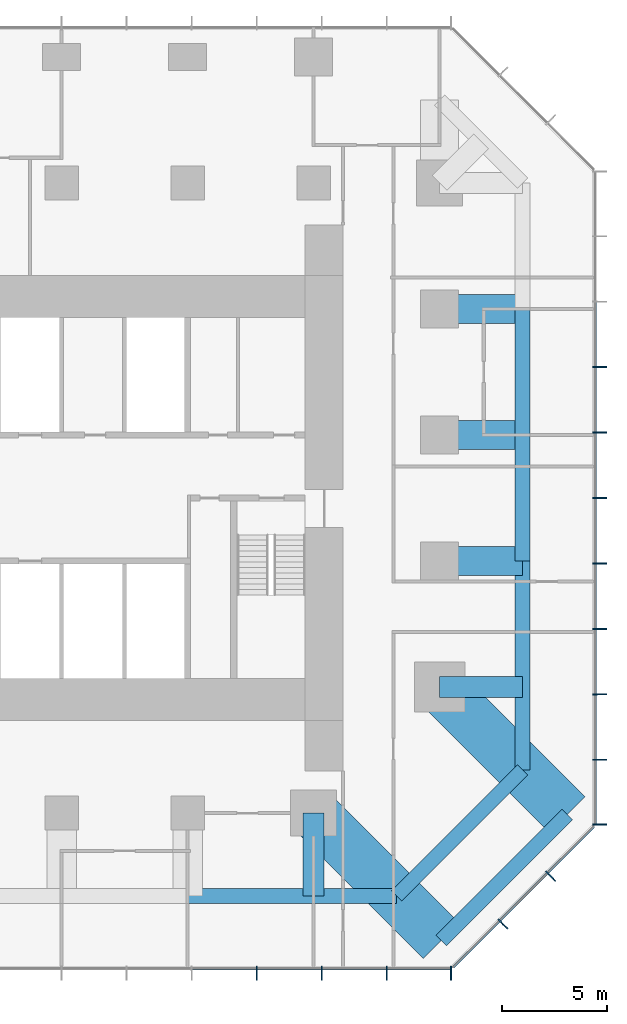
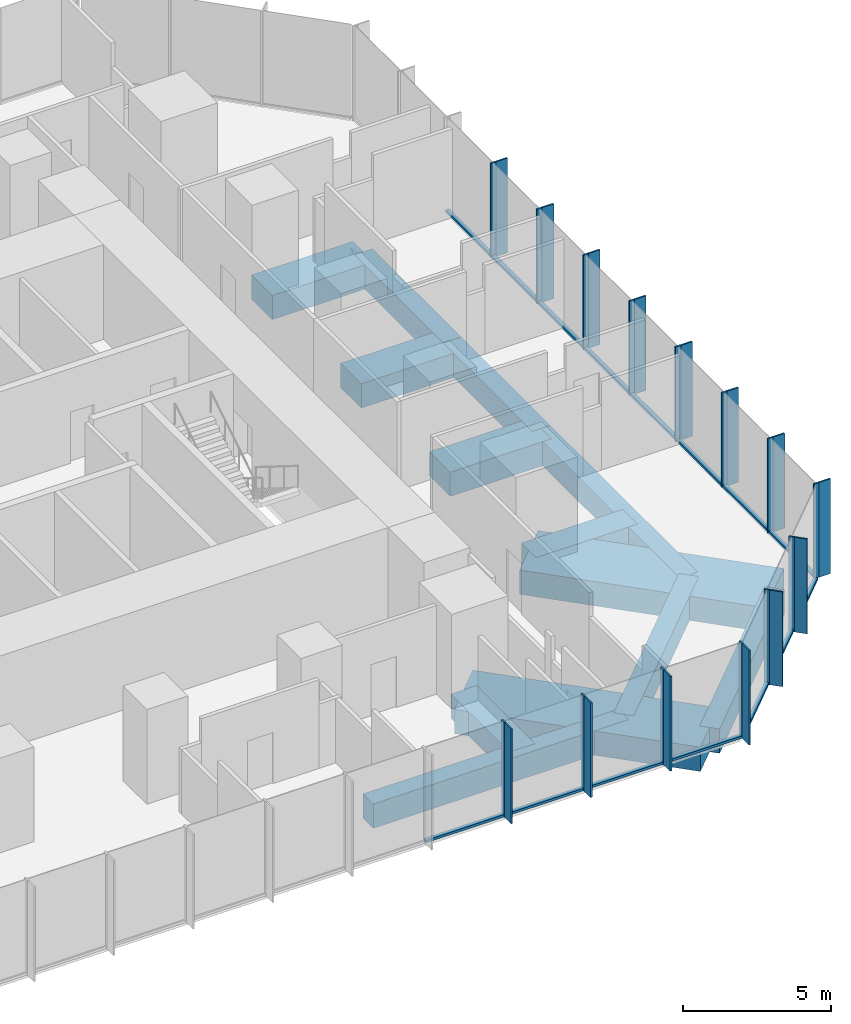
# One storey, part 4 of 11: 43 members, 13 beams, 3 elements without a shape of their own.
"""IFC4 building model written with IfcOpenShell, lengths in metres."""

from ifc_helpers import new_model, si_unit, direction, frame, origin, origin_2d, place, context, subcontext, project, spatial, rectangle, extrude, material, layer, layer_set, material_profile, profile_set, type_object, element, aggregate, save


model = new_model("IFC4")

# Units and contexts
model_context = context("Model", 3, precision=1e-05, world=origin(), true_north=direction((0.0, 1.0)))
body_context = subcontext(model_context, "Body", "Model", "MODEL_VIEW")
ifc_project = project(units=[si_unit("LENGTHUNIT", "METRE"), si_unit("AREAUNIT", "SQUARE_METRE"), si_unit("VOLUMEUNIT", "CUBIC_METRE"), si_unit("PLANEANGLEUNIT", "RADIAN"), si_unit("MASSUNIT", "GRAM", prefix="KILO")], contexts=[model_context])

# Site, building, storey
site_placement = place(None, origin())
site = spatial("IfcSite", under=ifc_project, at=site_placement, CompositionType="ELEMENT")
building_placement = place(site_placement, origin())
building = spatial("IfcBuilding", under=site, at=building_placement, Name="Highveld Stack Headquarters", CompositionType="ELEMENT")
storey_placement = place(building_placement, frame((0.0, 0.0, 144.5)))
storey = spatial("IfcBuildingStorey", under=building, at=storey_placement, Name="L35", CompositionType="ELEMENT", Elevation=144.5)

# Beams
ifc_material_1 = material(Name="Concrete C60/75", Category="concrete")
ifc_material_profile_1 = material_profile(ifc_material_1, rectangle(XDim=1.0, YDim=1.0, at=origin_2d()), Name="RC 1000x1000")
ifc_profile_set_1 = profile_set([ifc_material_profile_1], Name="Concrete C60/75")
beam_type_1 = type_object("IfcBeamType", Name="CANTILEVER RIB RC 1000x1000", PredefinedType="USERDEFINED", material=ifc_profile_set_1)
for number, where, z_axis, x_axis, name in (
    (1, (18.0, -12.0, -0.75), (0.0, -1.0, 0.0), (1.0, 0.0, 0.0), "Cantilever rib 9/C L35"),
    (2, (24.0, -6.0, -0.75), (1.0, 0.0, 0.0), (0.0, 1.0, 0.0), "Cantilever rib 10/D L35"),
):
    element("IfcBeam", number, at=place(storey_placement, frame(where, z_axis=z_axis, x_axis=x_axis)), inside=storey, type_object=beam_type_1, Name=name, ObjectType="CANTILEVER RIB", PredefinedType="USERDEFINED", context=body_context, shape_type="SweptSolid", body=[
        extrude(rectangle(XDim=1.0, YDim=1.0, at=origin_2d()), origin(), (0.0, 0.0, 1.0), 3.949951171875),
    ])
ifc_material_2 = material(Name="Concrete C60/75", Category="concrete")
ifc_material_profile_2 = material_profile(ifc_material_2, rectangle(XDim=1.39990234375, YDim=1.0, at=origin_2d()), Name="RC 1400x1000")
ifc_profile_set_2 = profile_set([ifc_material_profile_2], Name="Concrete C60/75")
beam_type_2 = type_object("IfcBeamType", Name="CANTILEVER RIB RC 1400x1000", PredefinedType="USERDEFINED", material=ifc_profile_set_2)
for number, where, z_axis, x_axis, name in (
    (3, (24.0, 0.0, -0.75), (1.0, 0.0, 0.0), (0.0, 1.0, 0.0), "Cantilever rib 10/E L35"),
    (4, (24.0, 6.0, -0.75), (1.0, 0.0, 0.0), (0.0, 1.0, 0.0), "Cantilever rib 10/F L35"),
    (5, (24.0, 12.0, -0.75), (1.0, 0.0, 0.0), (0.0, 1.0, 0.0), "Cantilever rib 10/G L35"),
):
    element("IfcBeam", number, at=place(storey_placement, frame(where, z_axis=z_axis, x_axis=x_axis)), inside=storey, type_object=beam_type_2, Name=name, ObjectType="CANTILEVER RIB", PredefinedType="USERDEFINED", context=body_context, shape_type="SweptSolid", body=[
        extrude(rectangle(XDim=1.39990234375, YDim=1.0, at=origin_2d()), origin(), (0.0, 0.0, 1.0), 3.949951171875),
    ])
ifc_material_3 = material(Name="Concrete C60/75", Category="concrete")
ifc_material_profile_3 = material_profile(ifc_material_3, rectangle(XDim=2.39990234375, YDim=1.0, at=origin_2d()), Name="RC 2400x1000")
ifc_profile_set_3 = profile_set([ifc_material_profile_3], Name="Concrete C60/75")
beam_type_3 = type_object("IfcBeamType", Name="CANTILEVER RIB RC 2400x1000", PredefinedType="USERDEFINED", material=ifc_profile_set_3)
for number, where, z_axis, x_axis, name in (
    (6, (18.0, -12.0, -0.75), (0.707106781187, -0.707106781187, 0.0), (0.707106781187, 0.707106781187, 0.0), "Cantilever rib 9/C L35"),
    (7, (24.0, -6.0, -0.75), (0.707106781187, -0.707106781187, 0.0), (0.707106781187, 0.707106781187, 0.0), "Cantilever rib 10/D L35"),
):
    element("IfcBeam", number, at=place(storey_placement, frame(where, z_axis=z_axis, x_axis=x_axis)), inside=storey, type_object=beam_type_3, Name=name, ObjectType="CANTILEVER RIB", PredefinedType="USERDEFINED", context=body_context, shape_type="SweptSolid", body=[
        extrude(rectangle(XDim=2.39990234375, YDim=1.0, at=origin_2d()), origin(), (0.0, 0.0, 1.0), 8.585693359375),
    ])

# Curtain wall, members
ifc_material_4 = material(Name="Aluminium bronze anodised", Category="aluminium")
ifc_layer_1 = layer(ifc_material_4, 0.199951171875)
ifc_layer_set_1 = layer_set([ifc_layer_1], Name="Aluminium bronze anodised")
curtain_wall_type_1 = type_object("IfcCurtainWallType", Name="CW1 TOWER UNITISED CURTAIN WALL", PredefinedType="NOTDEFINED", material=ifc_layer_set_1)
curtain_wall_1_placement = place(storey_placement, origin())
curtain_wall_1 = element("IfcCurtainWall", 8, at=curtain_wall_1_placement, inside=storey, type_object=curtain_wall_type_1, Name="Curtain wall CW1 L35 S", PredefinedType="NOTDEFINED")
ifc_material_5 = material(Name="Aluminium bronze anodised", Category="aluminium")
ifc_material_profile_4 = material_profile(ifc_material_5, rectangle(XDim=0.449951171875, YDim=0.06005859375, at=origin_2d()), Name="FIN 450x60")
ifc_profile_set_4 = profile_set([ifc_material_profile_4], Name="Aluminium bronze anodised")
member_type_1 = type_object("IfcMemberType", Name="CW1 BRONZE FIN 450x60", PredefinedType="USERDEFINED", material=ifc_profile_set_4)
member_1_placement = place(storey_placement, frame((15.289794921875, -19.72509765625, 0.0), z_axis=(0.0, 0.0, 1.0), x_axis=(0.0, 1.0, 0.0)))
member_1 = element("IfcMember", 9, at=member_1_placement, type_object=member_type_1, Name="CW1 fin L35 10", ObjectType="FIN", PredefinedType="USERDEFINED", context=body_context, shape_type="SweptSolid", body=[
    extrude(rectangle(XDim=0.449951171875, YDim=0.06005859375, at=origin_2d()), origin(), (0.0, 0.0, 1.0), 3.89990234375),
])
member_2_placement = place(storey_placement, frame((18.38671875, -19.72509765625, 0.0), z_axis=(0.0, 0.0, 1.0), x_axis=(0.0, 1.0, 0.0)))
member_2 = element("IfcMember", 10, at=member_2_placement, type_object=member_type_1, Name="CW1 fin L35 11", ObjectType="FIN", PredefinedType="USERDEFINED", context=body_context, shape_type="SweptSolid", body=[
    extrude(rectangle(XDim=0.449951171875, YDim=0.06005859375, at=origin_2d()), origin(), (0.0, 0.0, 1.0), 3.89990234375),
])
member_3_placement = place(storey_placement, frame((21.483154296875, -19.72509765625, 0.0), z_axis=(0.0, 0.0, 1.0), x_axis=(0.0, 1.0, 0.0)))
member_3 = element("IfcMember", 11, at=member_3_placement, type_object=member_type_1, Name="CW1 fin L35 12", ObjectType="FIN", PredefinedType="USERDEFINED", context=body_context, shape_type="SweptSolid", body=[
    extrude(rectangle(XDim=0.449951171875, YDim=0.06005859375, at=origin_2d()), origin(), (0.0, 0.0, 1.0), 3.89990234375),
])
member_4_placement = place(storey_placement, frame((24.54736328125, -19.72509765625, 0.0), z_axis=(0.0, 0.0, 1.0), x_axis=(0.0, 1.0, 0.0)))
member_4 = element("IfcMember", 12, at=member_4_placement, type_object=member_type_1, Name="CW1 fin L35 13", ObjectType="FIN", PredefinedType="USERDEFINED", context=body_context, shape_type="SweptSolid", body=[
    extrude(rectangle(XDim=0.449951171875, YDim=0.06005859375, at=origin_2d()), origin(), (0.0, 0.0, 1.0), 3.89990234375),
])

curtain_wall_2_placement = place(storey_placement, origin())
curtain_wall_2 = element("IfcCurtainWall", 13, at=curtain_wall_2_placement, inside=storey, type_object=curtain_wall_type_1, Name="Curtain wall CW1 L35 E", PredefinedType="NOTDEFINED")
member_5_placement = place(storey_placement, frame((31.72509765625, -12.54736328125, 0.0), z_axis=(0.0, 0.0, 1.0), x_axis=(-1.0, 0.0, 0.0)))
member_5 = element("IfcMember", 14, at=member_5_placement, type_object=member_type_1, Name="CW1 fin L35 1", ObjectType="FIN", PredefinedType="USERDEFINED", context=body_context, shape_type="SweptSolid", body=[
    extrude(rectangle(XDim=0.449951171875, YDim=0.06005859375, at=origin_2d()), origin(), (0.0, 0.0, 1.0), 3.89990234375),
])
member_6_placement = place(storey_placement, frame((31.72509765625, -9.4638671875, 0.0), z_axis=(0.0, 0.0, 1.0), x_axis=(-1.0, 0.0, 0.0)))
member_6 = element("IfcMember", 15, at=member_6_placement, type_object=member_type_1, Name="CW1 fin L35 2", ObjectType="FIN", PredefinedType="USERDEFINED", context=body_context, shape_type="SweptSolid", body=[
    extrude(rectangle(XDim=0.449951171875, YDim=0.06005859375, at=origin_2d()), origin(), (0.0, 0.0, 1.0), 3.89990234375),
])
member_7_placement = place(storey_placement, frame((31.72509765625, -6.347900390625, 0.0), z_axis=(0.0, 0.0, 1.0), x_axis=(-1.0, 0.0, 0.0)))
member_7 = element("IfcMember", 16, at=member_7_placement, type_object=member_type_1, Name="CW1 fin L35 3", ObjectType="FIN", PredefinedType="USERDEFINED", context=body_context, shape_type="SweptSolid", body=[
    extrude(rectangle(XDim=0.449951171875, YDim=0.06005859375, at=origin_2d()), origin(), (0.0, 0.0, 1.0), 3.89990234375),
])
member_8_placement = place(storey_placement, frame((31.72509765625, -3.23193359375, 0.0), z_axis=(0.0, 0.0, 1.0), x_axis=(-1.0, 0.0, 0.0)))
member_8 = element("IfcMember", 17, at=member_8_placement, type_object=member_type_1, Name="CW1 fin L35 4", ObjectType="FIN", PredefinedType="USERDEFINED", context=body_context, shape_type="SweptSolid", body=[
    extrude(rectangle(XDim=0.449951171875, YDim=0.06005859375, at=origin_2d()), origin(), (0.0, 0.0, 1.0), 3.89990234375),
])
member_9_placement = place(storey_placement, frame((31.72509765625, -0.115966796875, 0.0), z_axis=(0.0, 0.0, 1.0), x_axis=(-1.0, 0.0, 0.0)))
member_9 = element("IfcMember", 18, at=member_9_placement, type_object=member_type_1, Name="CW1 fin L35 5", ObjectType="FIN", PredefinedType="USERDEFINED", context=body_context, shape_type="SweptSolid", body=[
    extrude(rectangle(XDim=0.449951171875, YDim=0.06005859375, at=origin_2d()), origin(), (0.0, 0.0, 1.0), 3.89990234375),
])
member_10_placement = place(storey_placement, frame((31.72509765625, 3.0, 0.0), z_axis=(0.0, 0.0, 1.0), x_axis=(-1.0, 0.0, 0.0)))
member_10 = element("IfcMember", 19, at=member_10_placement, type_object=member_type_1, Name="CW1 fin L35 6", ObjectType="FIN", PredefinedType="USERDEFINED", context=body_context, shape_type="SweptSolid", body=[
    extrude(rectangle(XDim=0.449951171875, YDim=0.06005859375, at=origin_2d()), origin(), (0.0, 0.0, 1.0), 3.89990234375),
])
member_11_placement = place(storey_placement, frame((31.72509765625, 6.115966796875, 0.0), z_axis=(0.0, 0.0, 1.0), x_axis=(-1.0, 0.0, 0.0)))
member_11 = element("IfcMember", 20, at=member_11_placement, type_object=member_type_1, Name="CW1 fin L35 7", ObjectType="FIN", PredefinedType="USERDEFINED", context=body_context, shape_type="SweptSolid", body=[
    extrude(rectangle(XDim=0.449951171875, YDim=0.06005859375, at=origin_2d()), origin(), (0.0, 0.0, 1.0), 3.89990234375),
])
member_12_placement = place(storey_placement, frame((31.72509765625, 9.23193359375, 0.0), z_axis=(0.0, 0.0, 1.0), x_axis=(-1.0, 0.0, 0.0)))
member_12 = element("IfcMember", 21, at=member_12_placement, type_object=member_type_1, Name="CW1 fin L35 8", ObjectType="FIN", PredefinedType="USERDEFINED", context=body_context, shape_type="SweptSolid", body=[
    extrude(rectangle(XDim=0.449951171875, YDim=0.06005859375, at=origin_2d()), origin(), (0.0, 0.0, 1.0), 3.89990234375),
])

# Member
ifc_material_6 = material(Name="Aluminium bronze anodised", Category="aluminium")
ifc_material_profile_5 = material_profile(ifc_material_6, rectangle(XDim=0.199951171875, YDim=0.06494140625, at=origin_2d()), Name="CW1 MULLION 65x200")
ifc_profile_set_5 = profile_set([ifc_material_profile_5], Name="Aluminium bronze anodised")
member_type_2 = type_object("IfcMemberType", Name="CW1 MULLION 65x200", PredefinedType="MULLION", material=ifc_profile_set_5)
member_13_placement = place(storey_placement, frame((15.289794921875, -19.39990234375, 0.0), z_axis=(0.0, 0.0, 1.0), x_axis=(0.0, 1.0, 0.0)))
member_13 = element("IfcMember", 22, at=member_13_placement, type_object=member_type_2, Name="CW1 mullion L35 10", PredefinedType="MULLION", context=body_context, shape_type="SweptSolid", body=[
    extrude(rectangle(XDim=0.199951171875, YDim=0.06494140625, at=origin_2d()), origin(), (0.0, 0.0, 1.0), 3.89990234375),
])

member_14_placement = place(storey_placement, frame((18.38671875, -19.39990234375, 0.0), z_axis=(0.0, 0.0, 1.0), x_axis=(0.0, 1.0, 0.0)))
member_14 = element("IfcMember", 23, at=member_14_placement, type_object=member_type_2, Name="CW1 mullion L35 11", PredefinedType="MULLION", context=body_context, shape_type="SweptSolid", body=[
    extrude(rectangle(XDim=0.199951171875, YDim=0.06494140625, at=origin_2d()), origin(), (0.0, 0.0, 1.0), 3.89990234375),
])

member_15_placement = place(storey_placement, frame((21.483154296875, -19.39990234375, 0.0), z_axis=(0.0, 0.0, 1.0), x_axis=(0.0, 1.0, 0.0)))
member_15 = element("IfcMember", 24, at=member_15_placement, type_object=member_type_2, Name="CW1 mullion L35 12", PredefinedType="MULLION", context=body_context, shape_type="SweptSolid", body=[
    extrude(rectangle(XDim=0.199951171875, YDim=0.06494140625, at=origin_2d()), origin(), (0.0, 0.0, 1.0), 3.89990234375),
])

member_16_placement = place(storey_placement, frame((24.54736328125, -19.39990234375, 0.0), z_axis=(0.0, 0.0, 1.0), x_axis=(0.0, 1.0, 0.0)))
member_16 = element("IfcMember", 25, at=member_16_placement, type_object=member_type_2, Name="CW1 mullion L35 13", PredefinedType="MULLION", context=body_context, shape_type="SweptSolid", body=[
    extrude(rectangle(XDim=0.199951171875, YDim=0.06494140625, at=origin_2d()), origin(), (0.0, 0.0, 1.0), 3.89990234375),
])

member_17_placement = place(storey_placement, frame((31.39990234375, -12.54736328125, 0.0), z_axis=(0.0, 0.0, 1.0), x_axis=(-1.0, 0.0, 0.0)))
member_17 = element("IfcMember", 26, at=member_17_placement, type_object=member_type_2, Name="CW1 mullion L35 1", PredefinedType="MULLION", context=body_context, shape_type="SweptSolid", body=[
    extrude(rectangle(XDim=0.199951171875, YDim=0.06494140625, at=origin_2d()), origin(), (0.0, 0.0, 1.0), 3.89990234375),
])

member_18_placement = place(storey_placement, frame((31.39990234375, -9.4638671875, 0.0), z_axis=(0.0, 0.0, 1.0), x_axis=(-1.0, 0.0, 0.0)))
member_18 = element("IfcMember", 27, at=member_18_placement, type_object=member_type_2, Name="CW1 mullion L35 2", PredefinedType="MULLION", context=body_context, shape_type="SweptSolid", body=[
    extrude(rectangle(XDim=0.199951171875, YDim=0.06494140625, at=origin_2d()), origin(), (0.0, 0.0, 1.0), 3.89990234375),
])

member_19_placement = place(storey_placement, frame((31.39990234375, -6.347900390625, 0.0), z_axis=(0.0, 0.0, 1.0), x_axis=(-1.0, 0.0, 0.0)))
member_19 = element("IfcMember", 28, at=member_19_placement, type_object=member_type_2, Name="CW1 mullion L35 3", PredefinedType="MULLION", context=body_context, shape_type="SweptSolid", body=[
    extrude(rectangle(XDim=0.199951171875, YDim=0.06494140625, at=origin_2d()), origin(), (0.0, 0.0, 1.0), 3.89990234375),
])

member_20_placement = place(storey_placement, frame((31.39990234375, -3.23193359375, 0.0), z_axis=(0.0, 0.0, 1.0), x_axis=(-1.0, 0.0, 0.0)))
member_20 = element("IfcMember", 29, at=member_20_placement, type_object=member_type_2, Name="CW1 mullion L35 4", PredefinedType="MULLION", context=body_context, shape_type="SweptSolid", body=[
    extrude(rectangle(XDim=0.199951171875, YDim=0.06494140625, at=origin_2d()), origin(), (0.0, 0.0, 1.0), 3.89990234375),
])

member_21_placement = place(storey_placement, frame((31.39990234375, -0.115966796875, 0.0), z_axis=(0.0, 0.0, 1.0), x_axis=(-1.0, 0.0, 0.0)))
member_21 = element("IfcMember", 30, at=member_21_placement, type_object=member_type_2, Name="CW1 mullion L35 5", PredefinedType="MULLION", context=body_context, shape_type="SweptSolid", body=[
    extrude(rectangle(XDim=0.199951171875, YDim=0.06494140625, at=origin_2d()), origin(), (0.0, 0.0, 1.0), 3.89990234375),
])

member_22_placement = place(storey_placement, frame((31.39990234375, 3.0, 0.0), z_axis=(0.0, 0.0, 1.0), x_axis=(-1.0, 0.0, 0.0)))
member_22 = element("IfcMember", 31, at=member_22_placement, type_object=member_type_2, Name="CW1 mullion L35 6", PredefinedType="MULLION", context=body_context, shape_type="SweptSolid", body=[
    extrude(rectangle(XDim=0.199951171875, YDim=0.06494140625, at=origin_2d()), origin(), (0.0, 0.0, 1.0), 3.89990234375),
])

member_23_placement = place(storey_placement, frame((31.39990234375, 6.115966796875, 0.0), z_axis=(0.0, 0.0, 1.0), x_axis=(-1.0, 0.0, 0.0)))
member_23 = element("IfcMember", 32, at=member_23_placement, type_object=member_type_2, Name="CW1 mullion L35 7", PredefinedType="MULLION", context=body_context, shape_type="SweptSolid", body=[
    extrude(rectangle(XDim=0.199951171875, YDim=0.06494140625, at=origin_2d()), origin(), (0.0, 0.0, 1.0), 3.89990234375),
])

member_24_placement = place(storey_placement, frame((31.39990234375, 9.23193359375, 0.0), z_axis=(0.0, 0.0, 1.0), x_axis=(-1.0, 0.0, 0.0)))
member_24 = element("IfcMember", 33, at=member_24_placement, type_object=member_type_2, Name="CW1 mullion L35 8", PredefinedType="MULLION", context=body_context, shape_type="SweptSolid", body=[
    extrude(rectangle(XDim=0.199951171875, YDim=0.06494140625, at=origin_2d()), origin(), (0.0, 0.0, 1.0), 3.89990234375),
])

ifc_material_7 = material(Name="Aluminium bronze anodised", Category="aluminium")
ifc_material_profile_6 = material_profile(ifc_material_7, rectangle(XDim=0.14990234375, YDim=0.10009765625, at=origin_2d()), Name="CW1 TRANSOM 150x100")
ifc_profile_set_6 = profile_set([ifc_material_profile_6], Name="Aluminium bronze anodised")
member_type_3 = type_object("IfcMemberType", Name="CW1 STACK TRANSOM 150x100", PredefinedType="USERDEFINED", material=ifc_profile_set_6)
member_25_placement = place(storey_placement, frame((12.225830078125, -19.39990234375, 0.050048828125), z_axis=(1.0, 0.0, 0.0), x_axis=(0.0, 1.0, 0.0)))
member_25 = element("IfcMember", 34, at=member_25_placement, type_object=member_type_3, Name="CW1 transom L35 9.1", ObjectType="TRANSOM", PredefinedType="USERDEFINED", context=body_context, shape_type="SweptSolid", body=[
    extrude(rectangle(XDim=0.14990234375, YDim=0.10009765625, at=origin_2d()), origin(), (0.0, 0.0, 1.0), 3.03173828125),
])

member_26_placement = place(storey_placement, frame((15.322509765625, -19.39990234375, 0.050048828125), z_axis=(1.0, 0.0, 0.0), x_axis=(0.0, 1.0, 0.0)))
member_26 = element("IfcMember", 35, at=member_26_placement, type_object=member_type_3, Name="CW1 transom L35 10.1", ObjectType="TRANSOM", PredefinedType="USERDEFINED", context=body_context, shape_type="SweptSolid", body=[
    extrude(rectangle(XDim=0.14990234375, YDim=0.10009765625, at=origin_2d()), origin(), (0.0, 0.0, 1.0), 3.031494140625),
])

member_27_placement = place(storey_placement, frame((18.419189453125, -19.39990234375, 0.050048828125), z_axis=(1.0, 0.0, 0.0), x_axis=(0.0, 1.0, 0.0)))
member_27 = element("IfcMember", 36, at=member_27_placement, type_object=member_type_3, Name="CW1 transom L35 11.1", ObjectType="TRANSOM", PredefinedType="USERDEFINED", context=body_context, shape_type="SweptSolid", body=[
    extrude(rectangle(XDim=0.14990234375, YDim=0.10009765625, at=origin_2d()), origin(), (0.0, 0.0, 1.0), 3.031494140625),
])

member_28_placement = place(storey_placement, frame((21.515625, -19.39990234375, 0.050048828125), z_axis=(1.0, 0.0, 0.0), x_axis=(0.0, 1.0, 0.0)))
member_28 = element("IfcMember", 37, at=member_28_placement, type_object=member_type_3, Name="CW1 transom L35 12.1", ObjectType="TRANSOM", PredefinedType="USERDEFINED", context=body_context, shape_type="SweptSolid", body=[
    extrude(rectangle(XDim=0.14990234375, YDim=0.10009765625, at=origin_2d()), origin(), (0.0, 0.0, 1.0), 2.999267578125),
])

aggregate(curtain_wall_1, [member_13, member_1, member_14, member_2, member_15, member_3, member_16, member_4, member_25, member_26, member_27, member_28])

member_29_placement = place(storey_placement, frame((31.39990234375, -12.514892578125, 0.050048828125), z_axis=(0.0, 1.0, 0.0), x_axis=(-1.0, 0.0, 0.0)))
member_29 = element("IfcMember", 38, at=member_29_placement, type_object=member_type_3, Name="CW1 transom L35 1.1", ObjectType="TRANSOM", PredefinedType="USERDEFINED", context=body_context, shape_type="SweptSolid", body=[
    extrude(rectangle(XDim=0.14990234375, YDim=0.10009765625, at=origin_2d()), origin(), (0.0, 0.0, 1.0), 3.0185546875),
])

member_30_placement = place(storey_placement, frame((31.39990234375, -9.431396484375, 0.050048828125), z_axis=(0.0, 1.0, 0.0), x_axis=(-1.0, 0.0, 0.0)))
member_30 = element("IfcMember", 39, at=member_30_placement, type_object=member_type_3, Name="CW1 transom L35 2.1", ObjectType="TRANSOM", PredefinedType="USERDEFINED", context=body_context, shape_type="SweptSolid", body=[
    extrude(rectangle(XDim=0.14990234375, YDim=0.10009765625, at=origin_2d()), origin(), (0.0, 0.0, 1.0), 3.051025390625),
])

member_31_placement = place(storey_placement, frame((31.39990234375, -6.3154296875, 0.050048828125), z_axis=(0.0, 1.0, 0.0), x_axis=(-1.0, 0.0, 0.0)))
member_31 = element("IfcMember", 40, at=member_31_placement, type_object=member_type_3, Name="CW1 transom L35 3.1", ObjectType="TRANSOM", PredefinedType="USERDEFINED", context=body_context, shape_type="SweptSolid", body=[
    extrude(rectangle(XDim=0.14990234375, YDim=0.10009765625, at=origin_2d()), origin(), (0.0, 0.0, 1.0), 3.051025390625),
])

member_32_placement = place(storey_placement, frame((31.39990234375, -3.199462890625, 0.050048828125), z_axis=(0.0, 1.0, 0.0), x_axis=(-1.0, 0.0, 0.0)))
member_32 = element("IfcMember", 41, at=member_32_placement, type_object=member_type_3, Name="CW1 transom L35 4.1", ObjectType="TRANSOM", PredefinedType="USERDEFINED", context=body_context, shape_type="SweptSolid", body=[
    extrude(rectangle(XDim=0.14990234375, YDim=0.10009765625, at=origin_2d()), origin(), (0.0, 0.0, 1.0), 3.051025390625),
])

member_33_placement = place(storey_placement, frame((31.39990234375, -0.08349609375, 0.050048828125), z_axis=(0.0, 1.0, 0.0), x_axis=(-1.0, 0.0, 0.0)))
member_33 = element("IfcMember", 42, at=member_33_placement, type_object=member_type_3, Name="CW1 transom L35 5.1", ObjectType="TRANSOM", PredefinedType="USERDEFINED", context=body_context, shape_type="SweptSolid", body=[
    extrude(rectangle(XDim=0.14990234375, YDim=0.10009765625, at=origin_2d()), origin(), (0.0, 0.0, 1.0), 3.051025390625),
])

member_34_placement = place(storey_placement, frame((31.39990234375, 3.032470703125, 0.050048828125), z_axis=(0.0, 1.0, 0.0), x_axis=(-1.0, 0.0, 0.0)))
member_34 = element("IfcMember", 43, at=member_34_placement, type_object=member_type_3, Name="CW1 transom L35 6.1", ObjectType="TRANSOM", PredefinedType="USERDEFINED", context=body_context, shape_type="SweptSolid", body=[
    extrude(rectangle(XDim=0.14990234375, YDim=0.10009765625, at=origin_2d()), origin(), (0.0, 0.0, 1.0), 3.051025390625),
])

member_35_placement = place(storey_placement, frame((31.39990234375, 6.1484375, 0.050048828125), z_axis=(0.0, 1.0, 0.0), x_axis=(-1.0, 0.0, 0.0)))
member_35 = element("IfcMember", 44, at=member_35_placement, type_object=member_type_3, Name="CW1 transom L35 7.1", ObjectType="TRANSOM", PredefinedType="USERDEFINED", context=body_context, shape_type="SweptSolid", body=[
    extrude(rectangle(XDim=0.14990234375, YDim=0.10009765625, at=origin_2d()), origin(), (0.0, 0.0, 1.0), 3.051025390625),
])

member_36_placement = place(storey_placement, frame((31.39990234375, 9.264404296875, 0.050048828125), z_axis=(0.0, 1.0, 0.0), x_axis=(-1.0, 0.0, 0.0)))
member_36 = element("IfcMember", 45, at=member_36_placement, type_object=member_type_3, Name="CW1 transom L35 8.1", ObjectType="TRANSOM", PredefinedType="USERDEFINED", context=body_context, shape_type="SweptSolid", body=[
    extrude(rectangle(XDim=0.14990234375, YDim=0.10009765625, at=origin_2d()), origin(), (0.0, 0.0, 1.0), 3.051025390625),
])

aggregate(curtain_wall_2, [member_17, member_5, member_18, member_6, member_19, member_7, member_20, member_8, member_21, member_9, member_22, member_10, member_23, member_11, member_24, member_12, member_29, member_30, member_31, member_32, member_33, member_34, member_35, member_36])

# Curtain wall, members
ifc_material_8 = material(Name="Aluminium bronze anodised", Category="aluminium")
ifc_layer_2 = layer(ifc_material_8, 0.199951171875)
ifc_layer_set_2 = layer_set([ifc_layer_2], Name="Aluminium bronze anodised")
curtain_wall_type_2 = type_object("IfcCurtainWallType", Name="CW2 TOWER CHAMFER UNITISED CURTAIN WALL", PredefinedType="NOTDEFINED", material=ifc_layer_set_2)
curtain_wall_3_placement = place(storey_placement, origin())
curtain_wall_3 = element("IfcCurtainWall", 46, at=curtain_wall_3_placement, inside=storey, type_object=curtain_wall_type_2, Name="Curtain wall CW2 L35 SE", PredefinedType="NOTDEFINED")
ifc_material_9 = material(Name="Aluminium bronze anodised", Category="aluminium")
ifc_material_profile_7 = material_profile(ifc_material_9, rectangle(XDim=0.449951171875, YDim=0.06005859375, at=origin_2d()), Name="FIN 450x60")
ifc_profile_set_7 = profile_set([ifc_material_profile_7], Name="Aluminium bronze anodised")
member_type_4 = type_object("IfcMemberType", Name="CW2 BRONZE FIN 450x60", PredefinedType="USERDEFINED", material=ifc_profile_set_7)
member_37_placement = place(storey_placement, frame((27.0830078125, -17.3564453125, 0.0), z_axis=(0.0, 0.0, 1.0), x_axis=(-0.707106781187, 0.707106781187, 0.0)))
member_37 = element("IfcMember", 47, at=member_37_placement, type_object=member_type_4, Name="CW2 fin L35 1", ObjectType="FIN", PredefinedType="USERDEFINED", context=body_context, shape_type="SweptSolid", body=[
    extrude(rectangle(XDim=0.449951171875, YDim=0.06005859375, at=origin_2d()), origin(), (0.0, 0.0, 1.0), 3.89990234375),
])
member_38_placement = place(storey_placement, frame((29.3564453125, -15.0830078125, 0.0), z_axis=(0.0, 0.0, 1.0), x_axis=(-0.707106781187, 0.707106781187, 0.0)))
member_38 = element("IfcMember", 48, at=member_38_placement, type_object=member_type_4, Name="CW2 fin L35 2", ObjectType="FIN", PredefinedType="USERDEFINED", context=body_context, shape_type="SweptSolid", body=[
    extrude(rectangle(XDim=0.449951171875, YDim=0.06005859375, at=origin_2d()), origin(), (0.0, 0.0, 1.0), 3.89990234375),
])
ifc_material_10 = material(Name="Aluminium bronze anodised", Category="aluminium")
ifc_material_profile_8 = material_profile(ifc_material_10, rectangle(XDim=0.199951171875, YDim=0.06494140625, at=origin_2d()), Name="CW2 MULLION 65x200")
ifc_profile_set_8 = profile_set([ifc_material_profile_8], Name="Aluminium bronze anodised")
member_type_5 = type_object("IfcMemberType", Name="CW2 MULLION 65x200", PredefinedType="MULLION", material=ifc_profile_set_8)
member_39_placement = place(storey_placement, frame((26.853271484375, -17.126708984375, 0.0), z_axis=(0.0, 0.0, 1.0), x_axis=(-0.707106781187, 0.707106781187, 0.0)))
member_39 = element("IfcMember", 49, at=member_39_placement, type_object=member_type_5, Name="CW2 mullion L35 1", PredefinedType="MULLION", context=body_context, shape_type="SweptSolid", body=[
    extrude(rectangle(XDim=0.199951171875, YDim=0.06494140625, at=origin_2d()), origin(), (0.0, 0.0, 1.0), 3.89990234375),
])
member_40_placement = place(storey_placement, frame((29.126708984375, -14.853271484375, 0.0), z_axis=(0.0, 0.0, 1.0), x_axis=(-0.707106781187, 0.707106781187, 0.0)))
member_40 = element("IfcMember", 50, at=member_40_placement, type_object=member_type_5, Name="CW2 mullion L35 2", PredefinedType="MULLION", context=body_context, shape_type="SweptSolid", body=[
    extrude(rectangle(XDim=0.199951171875, YDim=0.06494140625, at=origin_2d()), origin(), (0.0, 0.0, 1.0), 3.89990234375),
])
ifc_material_11 = material(Name="Aluminium bronze anodised", Category="aluminium")
ifc_material_profile_9 = material_profile(ifc_material_11, rectangle(XDim=0.14990234375, YDim=0.10009765625, at=origin_2d()), Name="CW2 TRANSOM 150x100")
ifc_profile_set_9 = profile_set([ifc_material_profile_9], Name="Aluminium bronze anodised")
member_type_6 = type_object("IfcMemberType", Name="CW2 STACK TRANSOM 150x100", PredefinedType="USERDEFINED", material=ifc_profile_set_9)
member_41_placement = place(storey_placement, frame((24.650634765625, -19.329345703125, 0.050048828125), z_axis=(0.707106781187, 0.707106781187, 0.0), x_axis=(-0.707106781187, 0.707106781187, 0.0)))
member_41 = element("IfcMember", 51, at=member_41_placement, type_object=member_type_6, Name="CW2 transom L35 1.1", ObjectType="TRANSOM", PredefinedType="USERDEFINED", context=body_context, shape_type="SweptSolid", body=[
    extrude(rectangle(XDim=0.14990234375, YDim=0.10009765625, at=origin_2d()), origin(), (0.0, 0.0, 1.0), 3.08251953125),
])
member_42_placement = place(storey_placement, frame((26.876220703125, -17.103759765625, 0.050048828125), z_axis=(0.707106781187, 0.707106781187, 0.0), x_axis=(-0.707106781187, 0.707106781187, 0.0)))
member_42 = element("IfcMember", 52, at=member_42_placement, type_object=member_type_6, Name="CW2 transom L35 2.1", ObjectType="TRANSOM", PredefinedType="USERDEFINED", context=body_context, shape_type="SweptSolid", body=[
    extrude(rectangle(XDim=0.14990234375, YDim=0.10009765625, at=origin_2d()), origin(), (0.0, 0.0, 1.0), 3.150146484375),
])
member_43_placement = place(storey_placement, frame((29.149658203125, -14.830322265625, 0.050048828125), z_axis=(0.707106781187, 0.707106781187, 0.0), x_axis=(-0.707106781187, 0.707106781187, 0.0)))
member_43 = element("IfcMember", 53, at=member_43_placement, type_object=member_type_6, Name="CW2 transom L35 3.1", ObjectType="TRANSOM", PredefinedType="USERDEFINED", context=body_context, shape_type="SweptSolid", body=[
    extrude(rectangle(XDim=0.14990234375, YDim=0.10009765625, at=origin_2d()), origin(), (0.0, 0.0, 1.0), 3.08251953125),
])
aggregate(curtain_wall_3, [member_39, member_37, member_40, member_38, member_41, member_42, member_43])

# Beams
ifc_material_12 = material(Name="Concrete C60/75", Category="concrete")
ifc_material_profile_10 = material_profile(ifc_material_12, rectangle(XDim=0.699951171875, YDim=1.0, at=origin_2d()), Name="RC 700x1000")
ifc_profile_set_10 = profile_set([ifc_material_profile_10], Name="Concrete C60/75")
beam_type_4 = type_object("IfcBeamType", Name="RIB TIP BEAM RC 700x1000", PredefinedType="SPANDREL", material=ifc_profile_set_10)
beam_1_placement = place(storey_placement, frame((27.949951171875, -9.949951171875, -0.75), z_axis=(0.0, 1.0, 0.0), x_axis=(-1.0, 0.0, 0.0)))
element("IfcBeam", 54, at=beam_1_placement, inside=storey, type_object=beam_type_4, Name="Rib tip beam 10/D to 10/E L35", PredefinedType="SPANDREL", context=body_context, shape_type="SweptSolid", body=[
    extrude(rectangle(XDim=0.699951171875, YDim=1.0, at=origin_2d()), origin(), (0.0, 0.0, 1.0), 9.949951171875),
])
for number, where, z_axis, x_axis, name in (
    (55, (27.949951171875, 0.0, -0.75), (0.0, 1.0, 0.0), (-1.0, 0.0, 0.0), "Rib tip beam 10/E to 10/F L35"),
    (56, (27.949951171875, 6.0, -0.75), (0.0, 1.0, 0.0), (-1.0, 0.0, 0.0), "Rib tip beam 10/F to 10/G L35"),
):
    element("IfcBeam", number, at=place(storey_placement, frame(where, z_axis=z_axis, x_axis=x_axis)), inside=storey, type_object=beam_type_4, Name=name, PredefinedType="SPANDREL", context=body_context, shape_type="SweptSolid", body=[
        extrude(rectangle(XDim=0.699951171875, YDim=1.0, at=origin_2d()), origin(), (0.0, 0.0, 1.0), 6.0),
    ])
beam_2_placement = place(storey_placement, frame((12.0, -15.949951171875, -0.75), z_axis=(1.0, 0.0, 0.0), x_axis=(0.0, 1.0, 0.0)))
element("IfcBeam", 57, at=beam_2_placement, inside=storey, type_object=beam_type_4, Name="Rib tip beam 8/C to 9/C L35", PredefinedType="SPANDREL", context=body_context, shape_type="SweptSolid", body=[
    extrude(rectangle(XDim=0.699951171875, YDim=1.0, at=origin_2d()), origin(), (0.0, 0.0, 1.0), 9.949951171875),
])
for number, where, z_axis, x_axis, name in (
    (58, (21.949951171875, -15.949951171875, -0.75), (0.707106781187, 0.707106781187, 0.0), (-0.707106781187, 0.707106781187, 0.0), "Rib tip beam 9/C to 10/D chamfer L35"),
    (59, (24.071044921875, -18.071044921875, -0.75), (0.707106781187, 0.707106781187, 0.0), (-0.707106781187, 0.707106781187, 0.0), "Rib tip beam 9/C to 10/D chamfer edge L35"),
):
    element("IfcBeam", number, at=place(storey_placement, frame(where, z_axis=z_axis, x_axis=x_axis)), inside=storey, type_object=beam_type_4, Name=name, PredefinedType="SPANDREL", context=body_context, shape_type="SweptSolid", body=[
        extrude(rectangle(XDim=0.699951171875, YDim=1.0, at=origin_2d()), origin(), (0.0, 0.0, 1.0), 8.4853515625),
    ])

save(model, "model.ifc")
